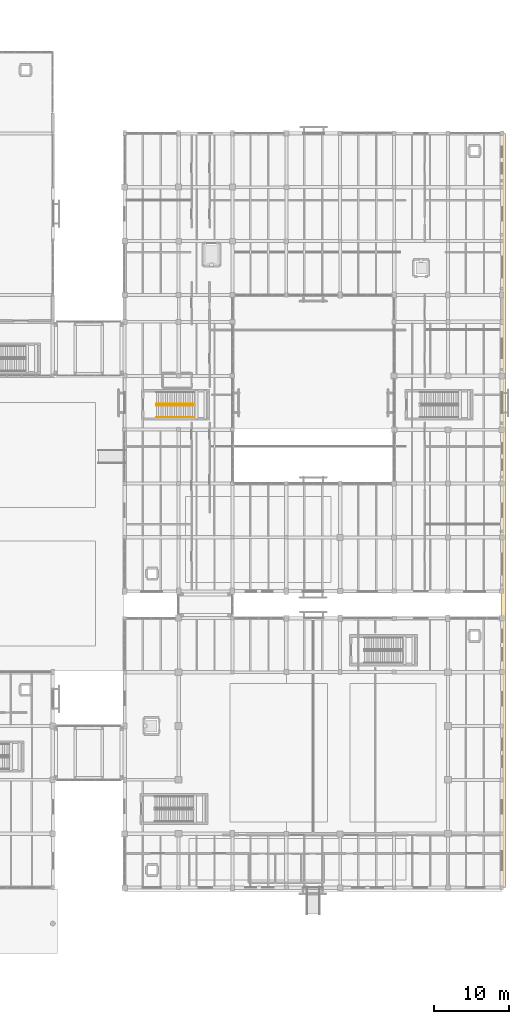
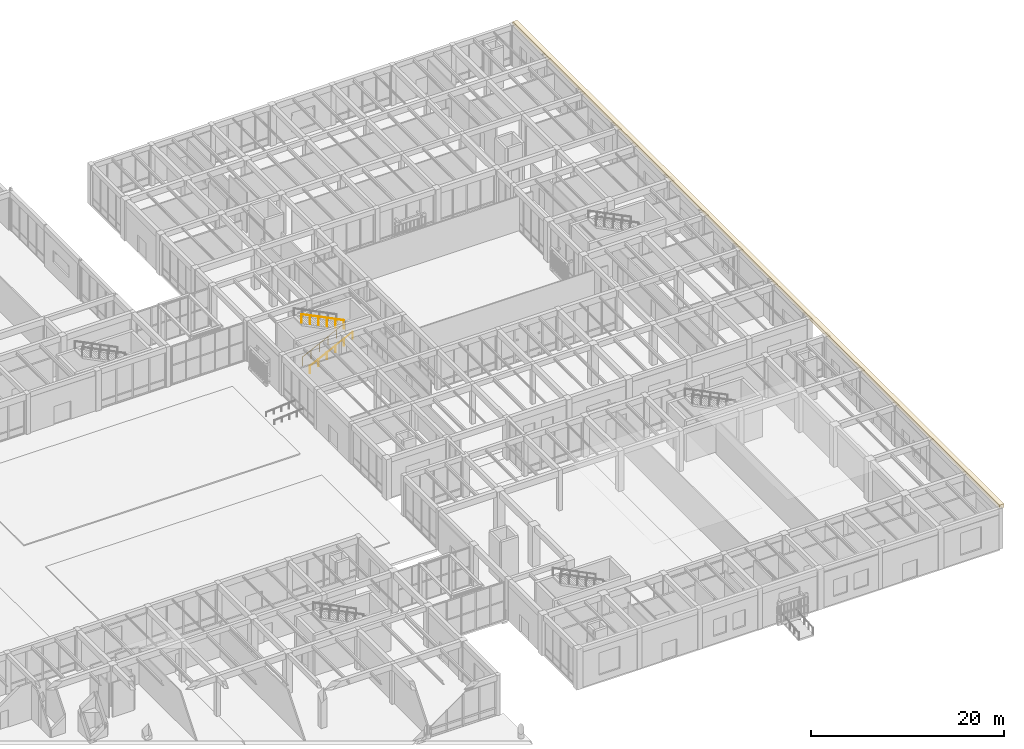
# One storey, part 165 of 169: 3 railings, 1 covering.
"""IFC4 building model written with IfcOpenShell, lengths in metres."""

from ifc_helpers import new_model, si_unit, direction, frame, origin, origin_2d, place, context, subcontext, project, spatial, polyline, circle, outline, extrude, material, layer, layer_set, type_object, element, save


model = new_model("IFC4")

# Units and contexts
model_context = context("Model", 3, precision=1e-05, world=origin(), true_north=direction((0.0, 1.0)))
body_context = subcontext(model_context, "Body", "Model", "MODEL_VIEW")
ifc_project = project(units=[si_unit("LENGTHUNIT", "METRE"), si_unit("AREAUNIT", "SQUARE_METRE"), si_unit("VOLUMEUNIT", "CUBIC_METRE"), si_unit("PLANEANGLEUNIT", "RADIAN"), si_unit("MASSUNIT", "GRAM", prefix="KILO")], contexts=[model_context])

# Site, building, storey
site_placement = place(None, origin())
site = spatial("IfcSite", under=ifc_project, at=site_placement, CompositionType="ELEMENT")
building_placement = place(site_placement, origin())
building = spatial("IfcBuilding", under=site, at=building_placement, Name="Mazaris Harbour Polytechnic", CompositionType="ELEMENT")
storey_placement = place(building_placement, origin())
storey = spatial("IfcBuildingStorey", under=building, at=storey_placement, Name="L00", CompositionType="ELEMENT", Elevation=0.0)

# Covering
ifc_material_1 = material(Name="Algerian Buff Limestone", Category="masonry")
ifc_layer = layer(ifc_material_1, 0.054931640625, Name="Algerian Buff Limestone")
ifc_layer_set = layer_set([ifc_layer], Name="Algerian Buff Limestone")
covering_type = type_object("IfcCoveringType", Name="Limestone Colonnade Fascia Cladding 55", PredefinedType="CLADDING", material=ifc_layer_set)
covering_placement = place(storey_placement, frame((0.0, 0.0, 4.949951171875)))
element("IfcCovering", 1, at=covering_placement, inside=storey, type_object=covering_type, Name="Covering COV-CL-07", PredefinedType="CLADDING", context=body_context, shape_type="SweptSolid", body=[
    extrude(outline(polyline([(172.780029296875, 7.199951171875), (173.300048828125, 7.199951171875), (173.300048828125, 108.0), (172.780029296875, 108.0), (172.780029296875, 7.199951171875)])), origin(), (0.0, 0.0, 1.0), 0.449951171875),
])

# Railings
ifc_material_2 = material(Name="Stainless Steel S355", Category="steel")
railing_type_1 = type_object("IfcRailingType", Name="Stair Wall Handrail 900", PredefinedType="HANDRAIL", material=ifc_material_2)
railing_1_placement = place(storey_placement, frame((126.64990234375, 70.050048828125, 0.14990234375)))
element("IfcRailing", 2, at=railing_1_placement, inside=storey, type_object=railing_type_1, Name="L00 ST09 stair handrail 1", PredefinedType="HANDRAIL", context=body_context, shape_type="SweptSolid", body=[
    extrude(circle(Radius=0.02392578125, at=origin_2d()), frame((0.0, 0.0, 0.8759765625), z_axis=(0.894427191, 0.0, 0.4472135955), x_axis=(0.0, 1.0, 0.0)), (0.0, 0.0, 1.0), 5.7021484375),
    extrude(circle(Radius=0.02099609375, at=origin_2d()), origin(), (0.0, 0.0, 1.0), 0.851806640625),
    extrude(circle(Radius=0.02099609375, at=origin_2d()), frame((1.02001953125, 0.0, 0.510009765625)), (0.0, 0.0, 1.0), 0.851806640625),
    extrude(circle(Radius=0.02099609375, at=origin_2d()), frame((2.0400390625, 0.0, 1.02001953125)), (0.0, 0.0, 1.0), 0.851806640625),
    extrude(circle(Radius=0.02099609375, at=origin_2d()), frame((3.06005859375, 0.0, 1.530029296875)), (0.0, 0.0, 1.0), 0.851806640625),
    extrude(circle(Radius=0.02099609375, at=origin_2d()), frame((4.080078125, 0.0, 2.0400390625)), (0.0, 0.0, 1.0), 0.851806640625),
    extrude(circle(Radius=0.02099609375, at=origin_2d()), frame((5.10009765625, 0.0, 2.550048828125)), (0.0, 0.0, 1.0), 0.851806640625),
])
ifc_material_3 = material(Name="Steel S355", Category="steel")
railing_type_2 = type_object("IfcRailingType", Name="Stair Well Guardrail 1100", PredefinedType="GUARDRAIL", material=ifc_material_3)
railing_2_placement = place(storey_placement, frame((126.64990234375, 71.60009765625, 0.14990234375)))
element("IfcRailing", 3, at=railing_2_placement, inside=storey, type_object=railing_type_2, Name="L00 ST09 stair guard 1", PredefinedType="GUARDRAIL", context=body_context, shape_type="SweptSolid", body=[
    extrude(circle(Radius=0.02392578125, at=origin_2d()), frame((0.0, 0.0, 1.076171875), z_axis=(0.894427191, 0.0, 0.4472135955), x_axis=(0.0, 1.0, 0.0)), (0.0, 0.0, 1.0), 5.7021484375),
    extrude(circle(Radius=0.02099609375, at=origin_2d()), origin(), (0.0, 0.0, 1.0), 1.052001953125),
    extrude(circle(Radius=0.02099609375, at=origin_2d()), frame((1.02001953125, 0.0, 0.510009765625)), (0.0, 0.0, 1.0), 1.052001953125),
    extrude(circle(Radius=0.02099609375, at=origin_2d()), frame((2.0400390625, 0.0, 1.02001953125)), (0.0, 0.0, 1.0), 1.052001953125),
    extrude(circle(Radius=0.02099609375, at=origin_2d()), frame((3.06005859375, 0.0, 1.530029296875)), (0.0, 0.0, 1.0), 1.052001953125),
    extrude(circle(Radius=0.02099609375, at=origin_2d()), frame((4.080078125, 0.0, 2.0400390625)), (0.0, 0.0, 1.0), 1.052001953125),
    extrude(circle(Radius=0.02099609375, at=origin_2d()), frame((5.10009765625, 0.0, 2.550048828125)), (0.0, 0.0, 1.0), 1.052001953125),
])
railing_3_placement = place(storey_placement, frame((131.75, 71.85009765625, 2.85009765625)))
element("IfcRailing", 4, at=railing_3_placement, inside=storey, type_object=railing_type_2, Name="L00 ST09 stair guard 3", PredefinedType="GUARDRAIL", context=body_context, shape_type="SweptSolid", body=[
    extrude(circle(Radius=0.02392578125, at=origin_2d()), frame((0.0, 0.0, 1.076171875), z_axis=(-0.89444431709, 0.0, 0.44717934168), x_axis=(0.0, -1.0, 0.0)), (0.0, 0.0, 1.0), 5.701904296875),
    extrude(circle(Radius=0.02099609375, at=origin_2d()), origin(), (0.0, 0.0, 1.0), 1.052001953125),
    extrude(circle(Radius=0.02099609375, at=origin_2d()), frame((-1.02001953125, 0.0, 0.510009765625)), (0.0, 0.0, 1.0), 1.052001953125),
    extrude(circle(Radius=0.02099609375, at=origin_2d()), frame((-2.0400390625, 0.0, 1.02001953125)), (0.0, 0.0, 1.0), 1.052001953125),
    extrude(circle(Radius=0.02099609375, at=origin_2d()), frame((-3.06005859375, 0.0, 1.52978515625)), (0.0, 0.0, 1.0), 1.052001953125),
    extrude(circle(Radius=0.02099609375, at=origin_2d()), frame((-4.080078125, 0.0, 2.039794921875)), (0.0, 0.0, 1.0), 1.052001953125),
    extrude(circle(Radius=0.02099609375, at=origin_2d()), frame((-5.10009765625, 0.0, 2.5498046875)), (0.0, 0.0, 1.0), 1.052001953125),
])

save(model, "model.ifc")
